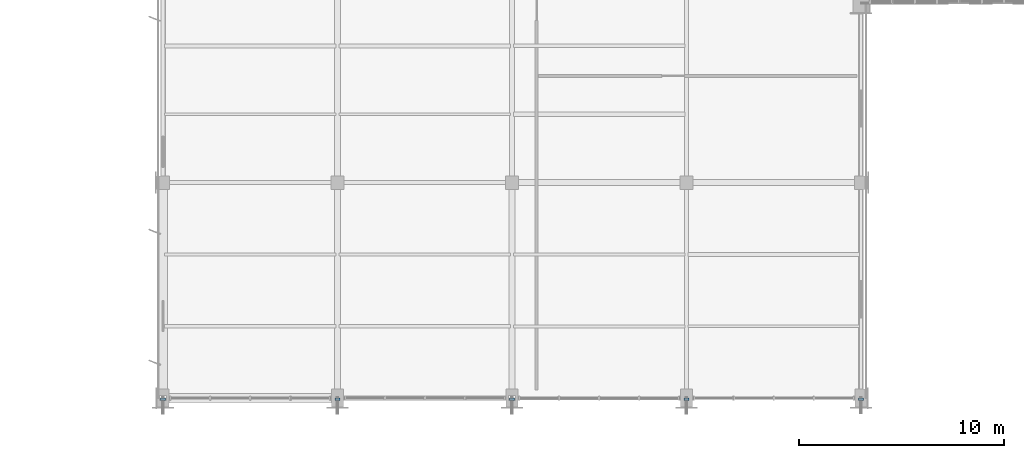
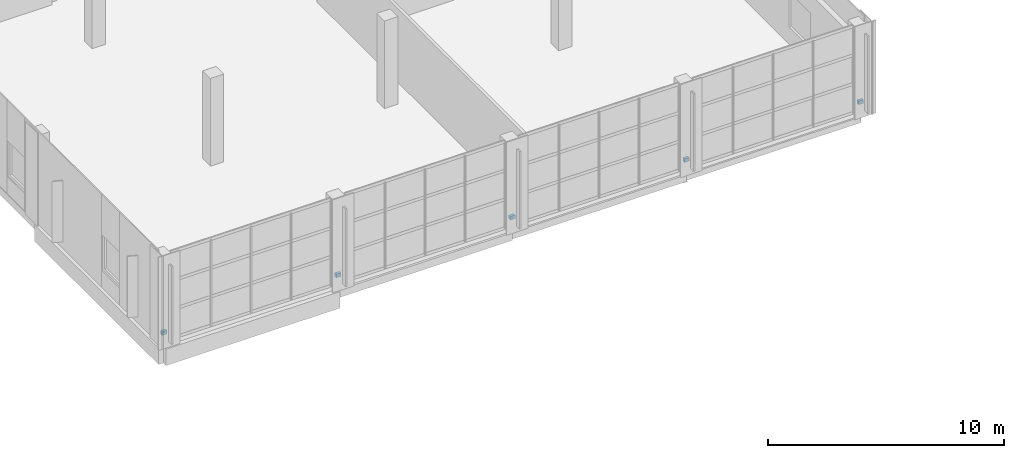
# One storey, part 58 of 66: 5 discrete accessories.
"""IFC4 building model written with IfcOpenShell, lengths in metres."""

from ifc_helpers import new_model, si_unit, direction, frame, origin, origin_2d, place, context, subcontext, project, spatial, rectangle, extrude, material, type_object, element, save


model = new_model("IFC4")

# Units and contexts
model_context = context("Model", 3, precision=1e-05, world=origin(), true_north=direction((0.0, 1.0)))
body_context = subcontext(model_context, "Body", "Model", "MODEL_VIEW")
ifc_project = project(units=[si_unit("LENGTHUNIT", "METRE"), si_unit("AREAUNIT", "SQUARE_METRE"), si_unit("VOLUMEUNIT", "CUBIC_METRE"), si_unit("PLANEANGLEUNIT", "RADIAN"), si_unit("MASSUNIT", "GRAM", prefix="KILO")], contexts=[model_context])

# Site, building, storey
site_placement = place(None, origin())
site = spatial("IfcSite", under=ifc_project, at=site_placement, CompositionType="ELEMENT")
building_placement = place(site_placement, origin())
building = spatial("IfcBuilding", under=site, at=building_placement, Name="Solvikara Media Centre", CompositionType="ELEMENT")
storey_placement = place(building_placement, frame((0.0, 0.0, 19.800048828125)))
storey = spatial("IfcBuildingStorey", under=building, at=storey_placement, Name="L04", CompositionType="ELEMENT", Elevation=19.800048828125)

# Discrete accessories
ifc_material = material(Name="Steel S355JR", Category="steel")
discrete_accessory_type = type_object("IfcDiscreteAccessoryType", Name="BK-01", PredefinedType="BRACKET", material=ifc_material)
for number, where, z_axis, x_axis, name in (
    (1, (34.0, -0.050048828125, 0.41015625), (0.0, 0.0, 1.0), (1.0, 0.0, 0.0), "BK-L04-016"),
    (2, (42.5, -0.050048828125, 0.41015625), (0.0, 0.0, 1.0), (1.0, 0.0, 0.0), "BK-L04-017"),
    (3, (51.0, -0.050048828125, 0.41015625), (0.0, 0.0, 1.0), (1.0, 0.0, 0.0), "BK-L04-018"),
    (4, (59.5, -0.050048828125, 0.41015625), (0.0, 0.0, 1.0), (1.0, 0.0, 0.0), "BK-L04-019"),
    (5, (68.0, -0.050048828125, 0.41015625), (0.0, 0.0, 1.0), (1.0, 0.0, 0.0), "BK-L04-020"),
):
    element("IfcDiscreteAccessory", number, at=place(storey_placement, frame(where, z_axis=z_axis, x_axis=x_axis)), inside=storey, type_object=discrete_accessory_type, Name=name, PredefinedType="BRACKET", context=body_context, shape_type="SweptSolid", body=[
        extrude(rectangle(XDim=0.239990234375, YDim=0.139892578125, at=origin_2d()), origin(), (0.0, 0.0, 1.0), 0.179931640625),
    ])

save(model, "model.ifc")
